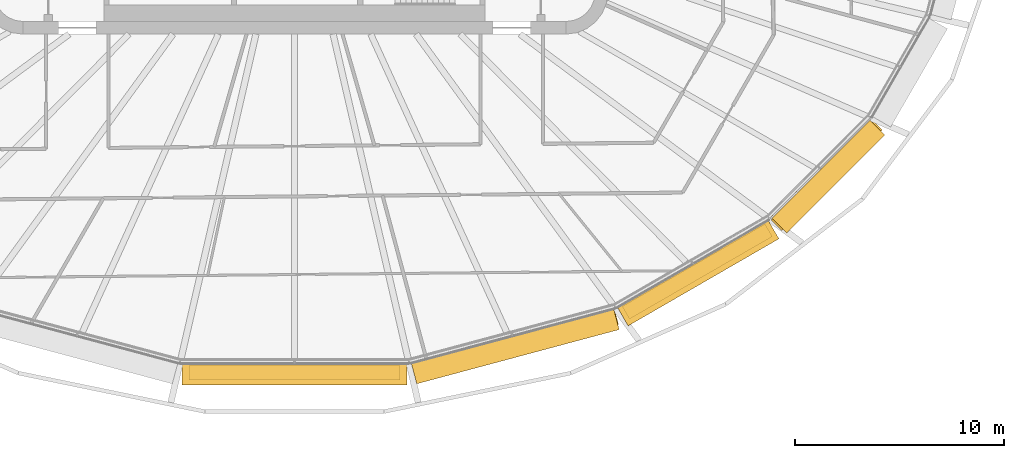
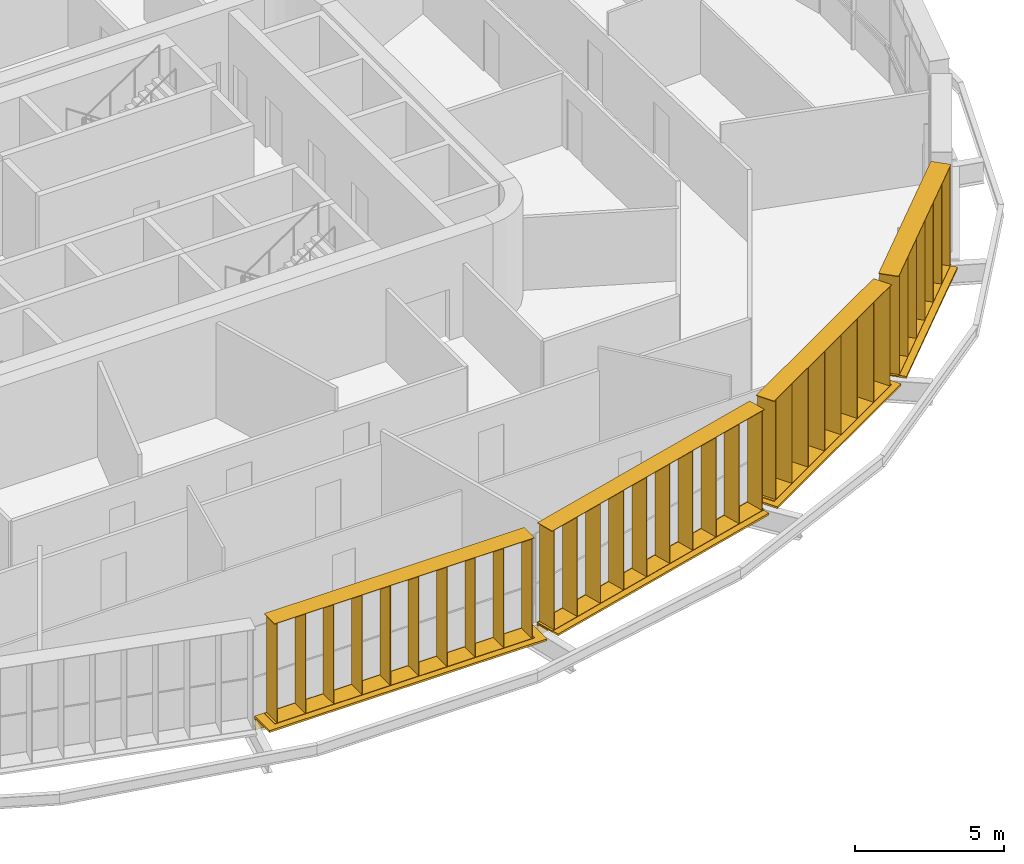
# One storey, part 23 of 26: 8 shading devices.
"""IFC4 building model written with IfcOpenShell, lengths in metres."""

from ifc_helpers import new_model, si_unit, direction, frame, origin, origin_2d, place, context, subcontext, project, spatial, rectangle, extrude, material, type_object, element, save


model = new_model("IFC4")

# Units and contexts
model_context = context("Model", 3, precision=1e-05, world=origin(), true_north=direction((0.0, 1.0)))
body_context = subcontext(model_context, "Body", "Model", "MODEL_VIEW")
ifc_project = project(units=[si_unit("LENGTHUNIT", "METRE"), si_unit("AREAUNIT", "SQUARE_METRE"), si_unit("VOLUMEUNIT", "CUBIC_METRE"), si_unit("PLANEANGLEUNIT", "RADIAN"), si_unit("MASSUNIT", "GRAM", prefix="KILO")], contexts=[model_context])

# Site, building, storey
site_placement = place(None, origin())
site = spatial("IfcSite", under=ifc_project, at=site_placement, CompositionType="ELEMENT")
building_placement = place(site_placement, origin())
building = spatial("IfcBuilding", under=site, at=building_placement, Name="Sahrelin Media Tower", CompositionType="ELEMENT")
storey_placement = place(building_placement, frame((0.0, 0.0, 88.199951171875)))
storey = spatial("IfcBuildingStorey", under=building, at=storey_placement, Name="L16", CompositionType="ELEMENT", Elevation=88.199951171875)

# Shading devices
ifc_material = material(Name="Champagne anodised aluminium 6063-T6", Category="aluminium")
shading_device_type_1 = type_object("IfcShadingDeviceType", Name="Fin cassette", PredefinedType="USERDEFINED", material=ifc_material)
placement_1 = place(storey_placement, frame((0.0, -23.786376953125, 0.0), z_axis=(0.0, 0.0, 1.0), x_axis=(-1.0, 0.0, 0.0)))
element("IfcShadingDevice", 1, at=placement_1, inside=storey, type_object=shading_device_type_1, Name="L16:FIN:L16-18", ObjectType="FIN", PredefinedType="USERDEFINED", context=body_context, shape_type="SweptSolid", body=[
    extrude(rectangle(XDim=10.10009765625, YDim=0.699951171875, at=origin_2d()), frame((0.0, 0.419921875, 0.0)), (0.0, 0.0, 1.0), 0.02001953125),
    extrude(rectangle(XDim=10.10009765625, YDim=0.699951171875, at=origin_2d()), frame((0.0, 0.419921875, 4.10009765625)), (0.0, 0.0, 1.0), 0.02001953125),
    extrude(rectangle(XDim=0.02001953125, YDim=0.699951171875, at=origin_2d()), frame((-4.949951171875, 0.419921875, 0.010009765625), z_axis=(0.0, 0.0, 1.0), x_axis=(1.0, 0.0, 0.0)), (0.0, 0.0, 1.0), 4.10009765625),
    extrude(rectangle(XDim=0.02001953125, YDim=0.699951171875, at=origin_2d()), frame((-3.85009765625, 0.419921875, 0.010009765625), z_axis=(0.0, 0.0, 1.0), x_axis=(1.0, 0.0, 0.0)), (0.0, 0.0, 1.0), 4.10009765625),
    extrude(rectangle(XDim=0.02001953125, YDim=0.699951171875, at=origin_2d()), frame((-2.75, 0.419921875, 0.010009765625), z_axis=(0.0, 0.0, 1.0), x_axis=(1.0, 0.0, 0.0)), (0.0, 0.0, 1.0), 4.10009765625),
    extrude(rectangle(XDim=0.02001953125, YDim=0.699951171875, at=origin_2d()), frame((-1.64990234375, 0.419921875, 0.010009765625), z_axis=(0.0, 0.0, 1.0), x_axis=(1.0, 0.0, 0.0)), (0.0, 0.0, 1.0), 4.10009765625),
    extrude(rectangle(XDim=0.02001953125, YDim=0.699951171875, at=origin_2d()), frame((-0.550048828125, 0.419921875, 0.010009765625), z_axis=(0.0, 0.0, 1.0), x_axis=(1.0, 0.0, 0.0)), (0.0, 0.0, 1.0), 4.10009765625),
    extrude(rectangle(XDim=0.02001953125, YDim=0.699951171875, at=origin_2d()), frame((0.550048828125, 0.419921875, 0.010009765625), z_axis=(0.0, 0.0, 1.0), x_axis=(1.0, 0.0, 0.0)), (0.0, 0.0, 1.0), 4.10009765625),
    extrude(rectangle(XDim=0.02001953125, YDim=0.699951171875, at=origin_2d()), frame((1.64990234375, 0.419921875, 0.010009765625), z_axis=(0.0, 0.0, 1.0), x_axis=(1.0, 0.0, 0.0)), (0.0, 0.0, 1.0), 4.10009765625),
    extrude(rectangle(XDim=0.02001953125, YDim=0.699951171875, at=origin_2d()), frame((2.75, 0.419921875, 0.010009765625), z_axis=(0.0, 0.0, 1.0), x_axis=(1.0, 0.0, 0.0)), (0.0, 0.0, 1.0), 4.10009765625),
    extrude(rectangle(XDim=0.02001953125, YDim=0.699951171875, at=origin_2d()), frame((3.85009765625, 0.419921875, 0.010009765625), z_axis=(0.0, 0.0, 1.0), x_axis=(1.0, 0.0, 0.0)), (0.0, 0.0, 1.0), 4.10009765625),
    extrude(rectangle(XDim=0.02001953125, YDim=0.699951171875, at=origin_2d()), frame((4.949951171875, 0.419921875, 0.010009765625), z_axis=(0.0, 0.0, 1.0), x_axis=(1.0, 0.0, 0.0)), (0.0, 0.0, 1.0), 4.10009765625),
])
placement_2 = place(storey_placement, frame((10.436279296875, -22.462158203125, 0.0), z_axis=(0.0, 0.0, 1.0), x_axis=(-0.965928857556, -0.258807731996, 0.0)))
element("IfcShadingDevice", 2, at=placement_2, inside=storey, type_object=shading_device_type_1, Name="L16:FIN:L16-19", ObjectType="FIN", PredefinedType="USERDEFINED", context=body_context, shape_type="SweptSolid", body=[
    extrude(rectangle(XDim=10.10009765625, YDim=0.699951171875, at=origin_2d()), frame((0.0, 0.419921875, 0.0)), (0.0, 0.0, 1.0), 0.02001953125),
    extrude(rectangle(XDim=10.10009765625, YDim=0.699951171875, at=origin_2d()), frame((0.0, 0.419921875, 4.10009765625)), (0.0, 0.0, 1.0), 0.02001953125),
    extrude(rectangle(XDim=0.02001953125, YDim=0.699951171875, at=origin_2d()), frame((-4.949951171875, 0.419921875, 0.010009765625), z_axis=(0.0, 0.0, 1.0), x_axis=(1.0, 0.0, 0.0)), (0.0, 0.0, 1.0), 4.10009765625),
    extrude(rectangle(XDim=0.02001953125, YDim=0.699951171875, at=origin_2d()), frame((-3.85009765625, 0.419921875, 0.010009765625), z_axis=(0.0, 0.0, 1.0), x_axis=(1.0, 0.0, 0.0)), (0.0, 0.0, 1.0), 4.10009765625),
    extrude(rectangle(XDim=0.02001953125, YDim=0.699951171875, at=origin_2d()), frame((-2.75, 0.419921875, 0.010009765625), z_axis=(0.0, 0.0, 1.0), x_axis=(1.0, 0.0, 0.0)), (0.0, 0.0, 1.0), 4.10009765625),
    extrude(rectangle(XDim=0.02001953125, YDim=0.699951171875, at=origin_2d()), frame((-1.64990234375, 0.419921875, 0.010009765625), z_axis=(0.0, 0.0, 1.0), x_axis=(1.0, 0.0, 0.0)), (0.0, 0.0, 1.0), 4.10009765625),
    extrude(rectangle(XDim=0.02001953125, YDim=0.699951171875, at=origin_2d()), frame((-0.550048828125, 0.419921875, 0.010009765625), z_axis=(0.0, 0.0, 1.0), x_axis=(1.0, 0.0, 0.0)), (0.0, 0.0, 1.0), 4.10009765625),
    extrude(rectangle(XDim=0.02001953125, YDim=0.699951171875, at=origin_2d()), frame((0.550048828125, 0.419921875, 0.010009765625), z_axis=(0.0, 0.0, 1.0), x_axis=(1.0, 0.0, 0.0)), (0.0, 0.0, 1.0), 4.10009765625),
    extrude(rectangle(XDim=0.02001953125, YDim=0.699951171875, at=origin_2d()), frame((1.64990234375, 0.419921875, 0.010009765625), z_axis=(0.0, 0.0, 1.0), x_axis=(1.0, 0.0, 0.0)), (0.0, 0.0, 1.0), 4.10009765625),
    extrude(rectangle(XDim=0.02001953125, YDim=0.699951171875, at=origin_2d()), frame((2.75, 0.419921875, 0.010009765625), z_axis=(0.0, 0.0, 1.0), x_axis=(1.0, 0.0, 0.0)), (0.0, 0.0, 1.0), 4.10009765625),
    extrude(rectangle(XDim=0.02001953125, YDim=0.699951171875, at=origin_2d()), frame((3.85009765625, 0.419921875, 0.010009765625), z_axis=(0.0, 0.0, 1.0), x_axis=(1.0, 0.0, 0.0)), (0.0, 0.0, 1.0), 4.10009765625),
    extrude(rectangle(XDim=0.02001953125, YDim=0.699951171875, at=origin_2d()), frame((4.949951171875, 0.419921875, 0.010009765625), z_axis=(0.0, 0.0, 1.0), x_axis=(1.0, 0.0, 0.0)), (0.0, 0.0, 1.0), 4.10009765625),
])
placement_3 = place(storey_placement, frame((19.074951171875, -19.003662109375, 0.0), z_axis=(0.0, 0.0, 1.0), x_axis=(-0.866019052629, -0.500011000363, 0.0)))
element("IfcShadingDevice", 3, at=placement_3, inside=storey, type_object=shading_device_type_1, Name="L16:FIN:L16-20", ObjectType="FIN", PredefinedType="USERDEFINED", context=body_context, shape_type="SweptSolid", body=[
    extrude(rectangle(XDim=7.89990234375, YDim=0.699951171875, at=origin_2d()), frame((0.0, 0.419921875, 0.0)), (0.0, 0.0, 1.0), 0.02001953125),
    extrude(rectangle(XDim=7.89990234375, YDim=0.699951171875, at=origin_2d()), frame((0.0, 0.419921875, 4.10009765625)), (0.0, 0.0, 1.0), 0.02001953125),
    extrude(rectangle(XDim=0.02001953125, YDim=0.699951171875, at=origin_2d()), frame((-3.85009765625, 0.419921875, 0.010009765625), z_axis=(0.0, 0.0, 1.0), x_axis=(1.0, 0.0, 0.0)), (0.0, 0.0, 1.0), 4.10009765625),
    extrude(rectangle(XDim=0.02001953125, YDim=0.699951171875, at=origin_2d()), frame((-2.75, 0.419921875, 0.010009765625), z_axis=(0.0, 0.0, 1.0), x_axis=(1.0, 0.0, 0.0)), (0.0, 0.0, 1.0), 4.10009765625),
    extrude(rectangle(XDim=0.02001953125, YDim=0.699951171875, at=origin_2d()), frame((-1.64990234375, 0.419921875, 0.010009765625), z_axis=(0.0, 0.0, 1.0), x_axis=(1.0, 0.0, 0.0)), (0.0, 0.0, 1.0), 4.10009765625),
    extrude(rectangle(XDim=0.02001953125, YDim=0.699951171875, at=origin_2d()), frame((-0.550048828125, 0.419921875, 0.010009765625), z_axis=(0.0, 0.0, 1.0), x_axis=(1.0, 0.0, 0.0)), (0.0, 0.0, 1.0), 4.10009765625),
    extrude(rectangle(XDim=0.02001953125, YDim=0.699951171875, at=origin_2d()), frame((0.550048828125, 0.419921875, 0.010009765625), z_axis=(0.0, 0.0, 1.0), x_axis=(1.0, 0.0, 0.0)), (0.0, 0.0, 1.0), 4.10009765625),
    extrude(rectangle(XDim=0.02001953125, YDim=0.699951171875, at=origin_2d()), frame((1.64990234375, 0.419921875, 0.010009765625), z_axis=(0.0, 0.0, 1.0), x_axis=(1.0, 0.0, 0.0)), (0.0, 0.0, 1.0), 4.10009765625),
    extrude(rectangle(XDim=0.02001953125, YDim=0.699951171875, at=origin_2d()), frame((2.75, 0.419921875, 0.010009765625), z_axis=(0.0, 0.0, 1.0), x_axis=(1.0, 0.0, 0.0)), (0.0, 0.0, 1.0), 4.10009765625),
    extrude(rectangle(XDim=0.02001953125, YDim=0.699951171875, at=origin_2d()), frame((3.85009765625, 0.419921875, 0.010009765625), z_axis=(0.0, 0.0, 1.0), x_axis=(1.0, 0.0, 0.0)), (0.0, 0.0, 1.0), 4.10009765625),
])
placement_4 = place(storey_placement, frame((25.192138671875, -14.44873046875, 0.0), z_axis=(0.0, 0.0, 1.0), x_axis=(-0.707106781187, -0.707106781187, 0.0)))
element("IfcShadingDevice", 4, at=placement_4, inside=storey, type_object=shading_device_type_1, Name="L16:FIN:L16-21", ObjectType="FIN", PredefinedType="USERDEFINED", context=body_context, shape_type="SweptSolid", body=[
    extrude(rectangle(XDim=6.800048828125, YDim=0.699951171875, at=origin_2d()), frame((0.0, 0.419921875, 0.0)), (0.0, 0.0, 1.0), 0.02001953125),
    extrude(rectangle(XDim=6.800048828125, YDim=0.699951171875, at=origin_2d()), frame((0.0, 0.419921875, 4.10009765625)), (0.0, 0.0, 1.0), 0.02001953125),
    extrude(rectangle(XDim=0.02001953125, YDim=0.699951171875, at=origin_2d()), frame((-3.300048828125, 0.419921875, 0.010009765625), z_axis=(0.0, 0.0, 1.0), x_axis=(1.0, 0.0, 0.0)), (0.0, 0.0, 1.0), 4.10009765625),
    extrude(rectangle(XDim=0.02001953125, YDim=0.699951171875, at=origin_2d()), frame((-2.199951171875, 0.419921875, 0.010009765625), z_axis=(0.0, 0.0, 1.0), x_axis=(1.0, 0.0, 0.0)), (0.0, 0.0, 1.0), 4.10009765625),
    extrude(rectangle(XDim=0.02001953125, YDim=0.699951171875, at=origin_2d()), frame((-1.10009765625, 0.419921875, 0.010009765625), z_axis=(0.0, 0.0, 1.0), x_axis=(1.0, 0.0, 0.0)), (0.0, 0.0, 1.0), 4.10009765625),
    extrude(rectangle(XDim=0.02001953125, YDim=0.699951171875, at=origin_2d()), frame((0.0, 0.419921875, 0.010009765625), z_axis=(0.0, 0.0, 1.0), x_axis=(1.0, 0.0, 0.0)), (0.0, 0.0, 1.0), 4.10009765625),
    extrude(rectangle(XDim=0.02001953125, YDim=0.699951171875, at=origin_2d()), frame((1.10009765625, 0.419921875, 0.010009765625), z_axis=(0.0, 0.0, 1.0), x_axis=(1.0, 0.0, 0.0)), (0.0, 0.0, 1.0), 4.10009765625),
    extrude(rectangle(XDim=0.02001953125, YDim=0.699951171875, at=origin_2d()), frame((2.199951171875, 0.419921875, 0.010009765625), z_axis=(0.0, 0.0, 1.0), x_axis=(1.0, 0.0, 0.0)), (0.0, 0.0, 1.0), 4.10009765625),
    extrude(rectangle(XDim=0.02001953125, YDim=0.699951171875, at=origin_2d()), frame((3.300048828125, 0.419921875, 0.010009765625), z_axis=(0.0, 0.0, 1.0), x_axis=(1.0, 0.0, 0.0)), (0.0, 0.0, 1.0), 4.10009765625),
])
shading_device_type_2 = type_object("IfcShadingDeviceType", Name="Sunshade band", PredefinedType="USERDEFINED", material=ifc_material)
element("IfcShadingDevice", 5, at=placement_1, inside=storey, type_object=shading_device_type_2, Name="L16:SUN:L16-18", ObjectType="SUNSHADE", PredefinedType="USERDEFINED", context=body_context, shape_type="SweptSolid", body=[
    extrude(rectangle(XDim=10.7880859375, YDim=0.050048828125, at=origin_2d()), frame((0.0, 0.044921875, -0.55126953125)), (0.0, 0.0, 1.0), 0.471435546875),
    extrude(rectangle(XDim=10.7880859375, YDim=1.0, at=origin_2d()), frame((0.0, 0.52001953125, -0.080078125)), (0.0, 0.0, 1.0), 0.080078125),
    extrude(rectangle(XDim=0.10009765625, YDim=0.074951171875, at=origin_2d()), frame((-5.2939453125, -0.017578125, -0.47021484375)), (0.0, 0.0, 1.0), 0.300048828125),
    extrude(rectangle(XDim=0.10009765625, YDim=0.074951171875, at=origin_2d()), frame((-3.529296875, -0.017578125, -0.47021484375)), (0.0, 0.0, 1.0), 0.300048828125),
    extrude(rectangle(XDim=0.10009765625, YDim=0.074951171875, at=origin_2d()), frame((-1.7646484375, -0.017578125, -0.47021484375)), (0.0, 0.0, 1.0), 0.300048828125),
    extrude(rectangle(XDim=0.10009765625, YDim=0.074951171875, at=origin_2d()), frame((0.0, -0.017578125, -0.47021484375)), (0.0, 0.0, 1.0), 0.300048828125),
    extrude(rectangle(XDim=0.10009765625, YDim=0.074951171875, at=origin_2d()), frame((1.7646484375, -0.017578125, -0.47021484375)), (0.0, 0.0, 1.0), 0.300048828125),
    extrude(rectangle(XDim=0.10009765625, YDim=0.074951171875, at=origin_2d()), frame((3.529296875, -0.017578125, -0.47021484375)), (0.0, 0.0, 1.0), 0.300048828125),
    extrude(rectangle(XDim=0.10009765625, YDim=0.074951171875, at=origin_2d()), frame((5.2939453125, -0.017578125, -0.47021484375)), (0.0, 0.0, 1.0), 0.300048828125),
])
element("IfcShadingDevice", 6, at=placement_2, inside=storey, type_object=shading_device_type_2, Name="L16:SUN:L16-19", ObjectType="SUNSHADE", PredefinedType="USERDEFINED", context=body_context, shape_type="SweptSolid", body=[
    extrude(rectangle(XDim=10.033203125, YDim=0.050048828125, at=origin_2d()), frame((0.0, 0.044921875, -0.55126953125)), (0.0, 0.0, 1.0), 0.471435546875),
    extrude(rectangle(XDim=10.033203125, YDim=1.0, at=origin_2d()), frame((0.0, 0.52001953125, -0.080078125)), (0.0, 0.0, 1.0), 0.080078125),
    extrude(rectangle(XDim=0.10009765625, YDim=0.074951171875, at=origin_2d()), frame((-4.91650390625, -0.017578125, -0.47021484375)), (0.0, 0.0, 1.0), 0.300048828125),
    extrude(rectangle(XDim=0.10009765625, YDim=0.074951171875, at=origin_2d()), frame((-3.277587890625, -0.017578125, -0.47021484375)), (0.0, 0.0, 1.0), 0.300048828125),
    extrude(rectangle(XDim=0.10009765625, YDim=0.074951171875, at=origin_2d()), frame((-1.638916015625, -0.017578125, -0.47021484375)), (0.0, 0.0, 1.0), 0.300048828125),
    extrude(rectangle(XDim=0.10009765625, YDim=0.074951171875, at=origin_2d()), frame((0.0, -0.017578125, -0.47021484375)), (0.0, 0.0, 1.0), 0.300048828125),
    extrude(rectangle(XDim=0.10009765625, YDim=0.074951171875, at=origin_2d()), frame((1.638916015625, -0.017578125, -0.47021484375)), (0.0, 0.0, 1.0), 0.300048828125),
    extrude(rectangle(XDim=0.10009765625, YDim=0.074951171875, at=origin_2d()), frame((3.277587890625, -0.017578125, -0.47021484375)), (0.0, 0.0, 1.0), 0.300048828125),
    extrude(rectangle(XDim=0.10009765625, YDim=0.074951171875, at=origin_2d()), frame((4.91650390625, -0.017578125, -0.47021484375)), (0.0, 0.0, 1.0), 0.300048828125),
])
element("IfcShadingDevice", 7, at=placement_3, inside=storey, type_object=shading_device_type_2, Name="L16:SUN:L16-20", ObjectType="SUNSHADE", PredefinedType="USERDEFINED", context=body_context, shape_type="SweptSolid", body=[
    extrude(rectangle(XDim=8.336669921875, YDim=0.050048828125, at=origin_2d()), frame((0.0, 0.044921875, -0.55126953125)), (0.0, 0.0, 1.0), 0.471435546875),
    extrude(rectangle(XDim=8.336669921875, YDim=1.0, at=origin_2d()), frame((0.0, 0.52001953125, -0.080078125)), (0.0, 0.0, 1.0), 0.080078125),
    extrude(rectangle(XDim=0.10009765625, YDim=0.074951171875, at=origin_2d()), frame((-4.068359375, -0.017578125, -0.47021484375)), (0.0, 0.0, 1.0), 0.300048828125),
    extrude(rectangle(XDim=0.10009765625, YDim=0.074951171875, at=origin_2d()), frame((-2.44091796875, -0.017578125, -0.47021484375)), (0.0, 0.0, 1.0), 0.300048828125),
    extrude(rectangle(XDim=0.10009765625, YDim=0.074951171875, at=origin_2d()), frame((-0.813720703125, -0.017578125, -0.47021484375)), (0.0, 0.0, 1.0), 0.300048828125),
    extrude(rectangle(XDim=0.10009765625, YDim=0.074951171875, at=origin_2d()), frame((0.813720703125, -0.017578125, -0.47021484375)), (0.0, 0.0, 1.0), 0.300048828125),
    extrude(rectangle(XDim=0.10009765625, YDim=0.074951171875, at=origin_2d()), frame((2.44091796875, -0.017578125, -0.47021484375)), (0.0, 0.0, 1.0), 0.300048828125),
    extrude(rectangle(XDim=0.10009765625, YDim=0.074951171875, at=origin_2d()), frame((4.068359375, -0.017578125, -0.47021484375)), (0.0, 0.0, 1.0), 0.300048828125),
])
element("IfcShadingDevice", 8, at=placement_4, inside=storey, type_object=shading_device_type_2, Name="L16:SUN:L16-21", ObjectType="SUNSHADE", PredefinedType="USERDEFINED", context=body_context, shape_type="SweptSolid", body=[
    extrude(rectangle(XDim=6.64697265625, YDim=0.050048828125, at=origin_2d()), frame((0.0, 0.044921875, -0.55126953125)), (0.0, 0.0, 1.0), 0.471435546875),
    extrude(rectangle(XDim=6.64697265625, YDim=1.0, at=origin_2d()), frame((0.0, 0.52001953125, -0.080078125)), (0.0, 0.0, 1.0), 0.080078125),
    extrude(rectangle(XDim=0.10009765625, YDim=0.074951171875, at=origin_2d()), frame((-3.223388671875, -0.017578125, -0.47021484375)), (0.0, 0.0, 1.0), 0.300048828125),
    extrude(rectangle(XDim=0.10009765625, YDim=0.074951171875, at=origin_2d()), frame((-1.61181640625, -0.017578125, -0.47021484375)), (0.0, 0.0, 1.0), 0.300048828125),
    extrude(rectangle(XDim=0.10009765625, YDim=0.074951171875, at=origin_2d()), frame((0.0, -0.017578125, -0.47021484375)), (0.0, 0.0, 1.0), 0.300048828125),
    extrude(rectangle(XDim=0.10009765625, YDim=0.074951171875, at=origin_2d()), frame((1.61181640625, -0.017578125, -0.47021484375)), (0.0, 0.0, 1.0), 0.300048828125),
    extrude(rectangle(XDim=0.10009765625, YDim=0.074951171875, at=origin_2d()), frame((3.223388671875, -0.017578125, -0.47021484375)), (0.0, 0.0, 1.0), 0.300048828125),
])

save(model, "model.ifc")
